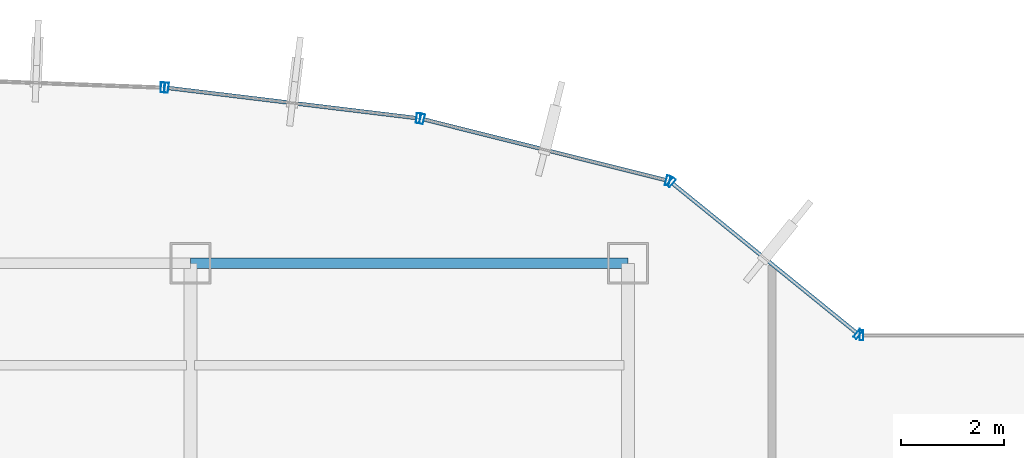
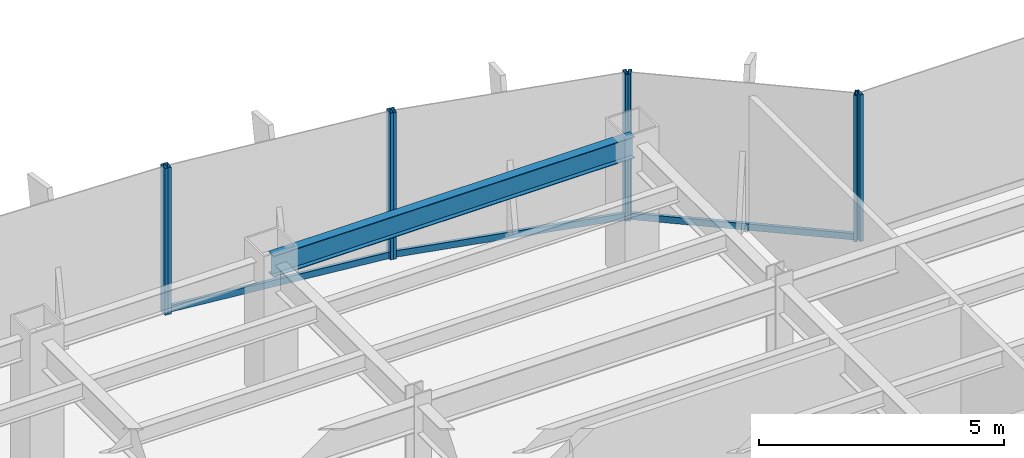
# One storey, part 18 of 26: 11 members, 1 beam, 5 elements without a shape of their own.
"""IFC4 building model written with IfcOpenShell, lengths in metres."""

from ifc_helpers import new_model, si_unit, derived_unit, direction, frame, origin, origin_2d, place, context, subcontext, project, spatial, hollow_rectangle, i_section, extrude, source, transform, mapped, material, material_profile, profile_set, type_object, element, aggregate, save


model = new_model("IFC4")

# Units and contexts
model_context = context("Model", 3, precision=1e-05, world=origin(), true_north=direction((0.0, 1.0)))
body_context = subcontext(model_context, "Body", "Model", "MODEL_VIEW")
ifc_project = project(units=[si_unit("LENGTHUNIT", "METRE"), si_unit("AREAUNIT", "SQUARE_METRE"), si_unit("VOLUMEUNIT", "CUBIC_METRE"), si_unit("PLANEANGLEUNIT", "RADIAN"), si_unit("MASSUNIT", "GRAM", prefix="KILO"), derived_unit("THERMALTRANSMITTANCEUNIT", [(si_unit("POWERUNIT", "WATT"), 1), (si_unit("LENGTHUNIT", "METRE"), -2), (si_unit("THERMODYNAMICTEMPERATUREUNIT", "KELVIN"), -1)])], contexts=[model_context])

# Site, building, storey
site_placement = place(None, origin())
site = spatial("IfcSite", under=ifc_project, at=site_placement, CompositionType="ELEMENT")
building_placement = place(site_placement, origin())
building = spatial("IfcBuilding", under=site, at=building_placement, Name="Skarnbrae Concourse Arena and Tower", CompositionType="ELEMENT")
storey_placement = place(building_placement, frame((0.0, 0.0, 132.449951171875)))
storey = spatial("IfcBuildingStorey", under=building, at=storey_placement, Name="L33", CompositionType="ELEMENT", Elevation=132.449951171875)

# Beam
ifc_material_1 = material(Name="Steel CSA G40.21 350W", Category="steel")
ifc_material_profile_1 = material_profile(ifc_material_1, i_section(OverallWidth=0.208984375, OverallDepth=0.532958984375, WebThickness=0.01025390625, FlangeThickness=0.015625, at=origin_2d()), Name="W530X92")
ifc_profile_set_1 = profile_set([ifc_material_profile_1], Name="Steel CSA G40.21 350W")
beam_type = type_object("IfcBeamType", Name="BM-SPAN-W530X92", PredefinedType="SPANDREL", material=ifc_profile_set_1)
shared_shape_1 = source(origin(), body_context, "Body", "SweptSolid", [
    extrude(i_section(OverallWidth=0.208984375, OverallDepth=0.532958984375, WebThickness=0.01025390625, FlangeThickness=0.015625, at=origin_2d()), origin(), (0.0, 0.0, 1.0), 8.5),
])
beam_placement = place(storey_placement, frame((33.5, 40.39990234375, 3.08349609375), z_axis=(1.0, 0.0, 0.0), x_axis=(0.0, 1.0, 0.0)))
element("IfcBeam", 1, at=beam_placement, inside=storey, type_object=beam_type, Name="L33 Perimeter spandrel Y40.4-4", PredefinedType="SPANDREL", context=body_context, shape_type="MappedRepresentation", body=[
    mapped(shared_shape_1, transform((0.0, 0.0, 0.0))),
])

# Curtain wall, member
ifc_material_2 = material(Name="Bronze anodised aluminium 6063-T6", Category="aluminium")
curtain_wall_type = type_object("IfcCurtainWallType", Name="CW-SYS-04-MIDZONE", PredefinedType="USERDEFINED", material=ifc_material_2)
curtain_wall_1_placement = place(storey_placement, origin())
curtain_wall_1 = element("IfcCurtainWall", 2, at=curtain_wall_1_placement, inside=storey, type_object=curtain_wall_type, Name="L33 Unitised curtain wall CW-L33-E07", ObjectType="UNITISED CURTAIN WALL", PredefinedType="USERDEFINED")
ifc_material_profile_2 = material_profile(ifc_material_2, hollow_rectangle(XDim=0.074951171875, YDim=0.195068359375, WallThickness=0.00439453125, at=origin_2d()), Name="ALU-MULL-75X195")
ifc_profile_set_2 = profile_set([ifc_material_profile_2], Name="Bronze anodised aluminium 6063-T6")
member_type_1 = type_object("IfcMemberType", Name="CWM-CW-04", PredefinedType="MULLION", material=ifc_profile_set_2)
shared_shape_2 = source(origin(), body_context, "Body", "SweptSolid", [
    extrude(hollow_rectangle(XDim=0.074951171875, YDim=0.195068359375, WallThickness=0.00439453125, at=origin_2d()), origin(), (0.0, 0.0, 1.0), 3.650146484375),
])
member_1_placement = place(storey_placement, frame((46.53759765625, 39.0, 0.0), z_axis=(0.0, 0.0, 1.0), x_axis=(-1.0, 0.0, 0.0)))
member_1 = element("IfcMember", 3, at=member_1_placement, type_object=member_type_1, Name="CW-L33-E07 Mullion 2", PredefinedType="MULLION", context=body_context, shape_type="MappedRepresentation", body=[
    mapped(shared_shape_2, transform((0.0, 0.0, 0.0))),
])
aggregate(curtain_wall_1, [member_1])

# Curtain wall, members
curtain_wall_2_placement = place(storey_placement, origin())
curtain_wall_2 = element("IfcCurtainWall", 4, at=curtain_wall_2_placement, inside=storey, type_object=curtain_wall_type, Name="L33 Unitised curtain wall CW-L33-E08", ObjectType="UNITISED CURTAIN WALL", PredefinedType="USERDEFINED")
member_2_placement = place(storey_placement, frame((46.470947265625, 39.023681640625, 0.0), z_axis=(0.0, 0.0, 1.0), x_axis=(-0.776241200471, 0.630436038542, 0.0)))
member_2 = element("IfcMember", 5, at=member_2_placement, type_object=member_type_1, Name="CW-L33-E08 Mullion 1", PredefinedType="MULLION", context=body_context, shape_type="MappedRepresentation", body=[
    mapped(shared_shape_2, transform((0.0, 0.0, 0.0))),
])
member_3_placement = place(storey_placement, frame((42.840087890625, 41.972412109375, 0.0), z_axis=(0.0, 0.0, 1.0), x_axis=(-0.776241200471, 0.630436038542, 0.0)))
member_3 = element("IfcMember", 6, at=member_3_placement, type_object=member_type_1, Name="CW-L33-E08 Mullion 2", PredefinedType="MULLION", context=body_context, shape_type="MappedRepresentation", body=[
    mapped(shared_shape_2, transform((0.0, 0.0, 0.0))),
])

curtain_wall_3_placement = place(storey_placement, origin())
curtain_wall_3 = element("IfcCurtainWall", 7, at=curtain_wall_3_placement, inside=storey, type_object=curtain_wall_type, Name="L33 Unitised curtain wall CW-L33-E09", ObjectType="UNITISED CURTAIN WALL", PredefinedType="USERDEFINED")
member_4_placement = place(storey_placement, frame((42.774658203125, 42.005126953125, 0.0), z_axis=(0.0, 0.0, 1.0), x_axis=(-0.969903046166, 0.243491439351, 0.0)))
member_4 = element("IfcMember", 8, at=member_4_placement, type_object=member_type_1, Name="CW-L33-E09 Mullion 1", PredefinedType="MULLION", context=body_context, shape_type="MappedRepresentation", body=[
    mapped(shared_shape_2, transform((0.0, 0.0, 0.0))),
])
member_5_placement = place(storey_placement, frame((38.00048828125, 43.20361328125, 0.0), z_axis=(0.0, 0.0, 1.0), x_axis=(-0.969903046166, 0.243491439351, 0.0)))
member_5 = element("IfcMember", 9, at=member_5_placement, type_object=member_type_1, Name="CW-L33-E09 Mullion 2", PredefinedType="MULLION", context=body_context, shape_type="MappedRepresentation", body=[
    mapped(shared_shape_2, transform((0.0, 0.0, 0.0))),
])

curtain_wall_4_placement = place(storey_placement, origin())
curtain_wall_4 = element("IfcCurtainWall", 10, at=curtain_wall_4_placement, inside=storey, type_object=curtain_wall_type, Name="L33 Unitised curtain wall CW-L33-E10", ObjectType="UNITISED CURTAIN WALL", PredefinedType="USERDEFINED")
member_6_placement = place(storey_placement, frame((37.927001953125, 43.21728515625, 0.0), z_axis=(0.0, 0.0, 1.0), x_axis=(-0.992749371969, 0.120202680731, 0.0)))
member_6 = element("IfcMember", 11, at=member_6_placement, type_object=member_type_1, Name="CW-L33-E10 Mullion 1", PredefinedType="MULLION", context=body_context, shape_type="MappedRepresentation", body=[
    mapped(shared_shape_2, transform((0.0, 0.0, 0.0))),
])
member_7_placement = place(storey_placement, frame((33.0361328125, 43.8095703125, 0.0), z_axis=(0.0, 0.0, 1.0), x_axis=(-0.992749371969, 0.120202680731, 0.0)))
member_7 = element("IfcMember", 12, at=member_7_placement, type_object=member_type_1, Name="CW-L33-E10 Mullion 2", PredefinedType="MULLION", context=body_context, shape_type="MappedRepresentation", body=[
    mapped(shared_shape_2, transform((0.0, 0.0, 0.0))),
])

# Curtain wall, member
curtain_wall_5_placement = place(storey_placement, origin())
curtain_wall_5 = element("IfcCurtainWall", 13, at=curtain_wall_5_placement, inside=storey, type_object=curtain_wall_type, Name="L33 Unitised curtain wall CW-L33-E11", ObjectType="UNITISED CURTAIN WALL", PredefinedType="USERDEFINED")
member_8_placement = place(storey_placement, frame((32.96142578125, 43.8154296875, 0.0), z_axis=(0.0, 0.0, 1.0), x_axis=(-0.999308486252, 0.037182647889, 0.0)))
member_8 = element("IfcMember", 14, at=member_8_placement, type_object=member_type_1, Name="CW-L33-E11 Mullion 1", PredefinedType="MULLION", context=body_context, shape_type="MappedRepresentation", body=[
    mapped(shared_shape_2, transform((0.0, 0.0, 0.0))),
])
aggregate(curtain_wall_5, [member_8])

# Member
ifc_material_profile_3 = material_profile(ifc_material_2, hollow_rectangle(XDim=0.074951171875, YDim=0.159912109375, WallThickness=0.00439453125, at=origin_2d()), Name="ALU-TRAN-75X160")
ifc_profile_set_3 = profile_set([ifc_material_profile_3], Name="Bronze anodised aluminium 6063-T6")
member_type_2 = type_object("IfcMemberType", Name="CWT-CW-04", PredefinedType="USERDEFINED", material=ifc_profile_set_3)
shared_shape_3 = source(origin(), body_context, "Body", "SweptSolid", [
    extrude(hollow_rectangle(XDim=0.074951171875, YDim=0.159912109375, WallThickness=0.00439453125, at=origin_2d()), origin(), (0.0, 0.0, 1.0), 4.602294921875),
])
member_9_placement = place(storey_placement, frame((46.44189453125, 39.04736328125, 0.080078125), z_axis=(-0.776251906445, 0.630422856297, 0.0), x_axis=(-0.630422856297, -0.776251906445, 0.0)))
member_9 = element("IfcMember", 15, at=member_9_placement, type_object=member_type_2, Name="CW-L33-E08 Transom 1", ObjectType="TRANSOM", PredefinedType="USERDEFINED", context=body_context, shape_type="MappedRepresentation", body=[
    mapped(shared_shape_3, transform((0.0, 0.0, 0.0))),
])

aggregate(curtain_wall_2, [member_2, member_3, member_9])

shared_shape_4 = source(origin(), body_context, "Body", "SweptSolid", [
    extrude(hollow_rectangle(XDim=0.074951171875, YDim=0.159912109375, WallThickness=0.00439453125, at=origin_2d()), origin(), (0.0, 0.0, 1.0), 4.84716796875),
])
member_10_placement = place(storey_placement, frame((42.73828125, 42.014404296875, 0.080078125), z_axis=(-0.969907992238, 0.243471736744, 0.0), x_axis=(-0.243471736744, -0.969907992238, 0.0)))
member_10 = element("IfcMember", 16, at=member_10_placement, type_object=member_type_2, Name="CW-L33-E09 Transom 1", ObjectType="TRANSOM", PredefinedType="USERDEFINED", context=body_context, shape_type="MappedRepresentation", body=[
    mapped(shared_shape_4, transform((0.0, 0.0, 0.0))),
])

aggregate(curtain_wall_3, [member_4, member_5, member_10])

shared_shape_5 = source(origin(), body_context, "Body", "SweptSolid", [
    extrude(hollow_rectangle(XDim=0.074951171875, YDim=0.159912109375, WallThickness=0.00439453125, at=origin_2d()), origin(), (0.0, 0.0, 1.0), 4.851318359375),
])
member_11_placement = place(storey_placement, frame((37.8896484375, 43.2216796875, 0.080078125), z_axis=(-0.992746710317, 0.120224661172, 0.0), x_axis=(-0.120224661172, -0.992746710317, 0.0)))
member_11 = element("IfcMember", 17, at=member_11_placement, type_object=member_type_2, Name="CW-L33-E10 Transom 1", ObjectType="TRANSOM", PredefinedType="USERDEFINED", context=body_context, shape_type="MappedRepresentation", body=[
    mapped(shared_shape_5, transform((0.0, 0.0, 0.0))),
])

aggregate(curtain_wall_4, [member_6, member_7, member_11])

save(model, "model.ifc")
